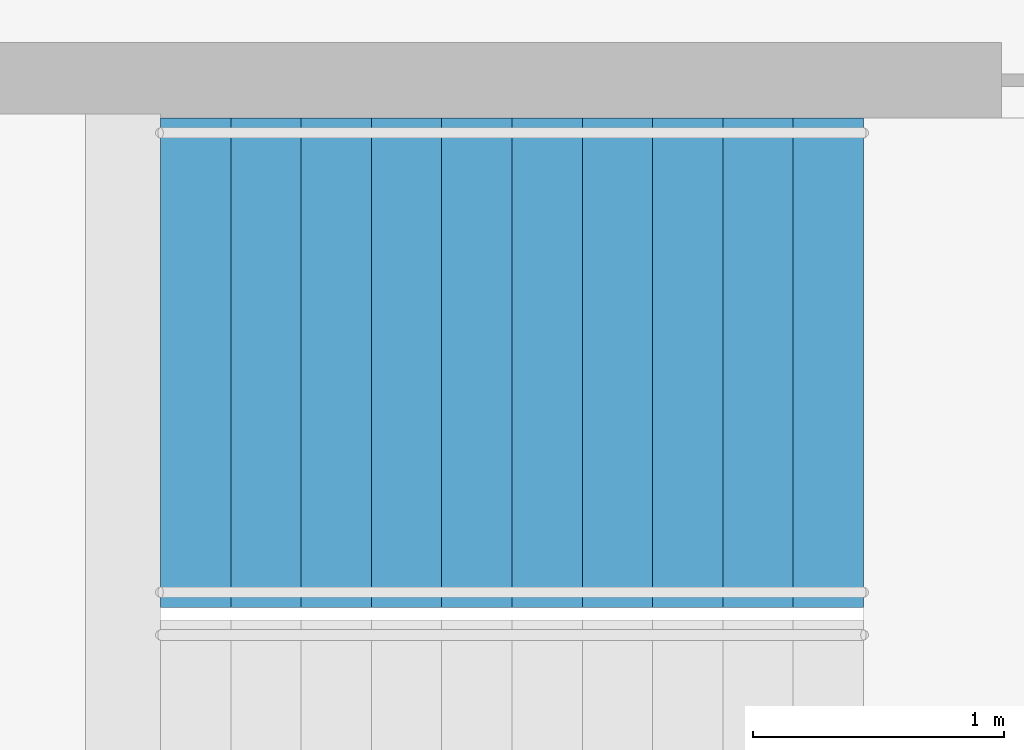
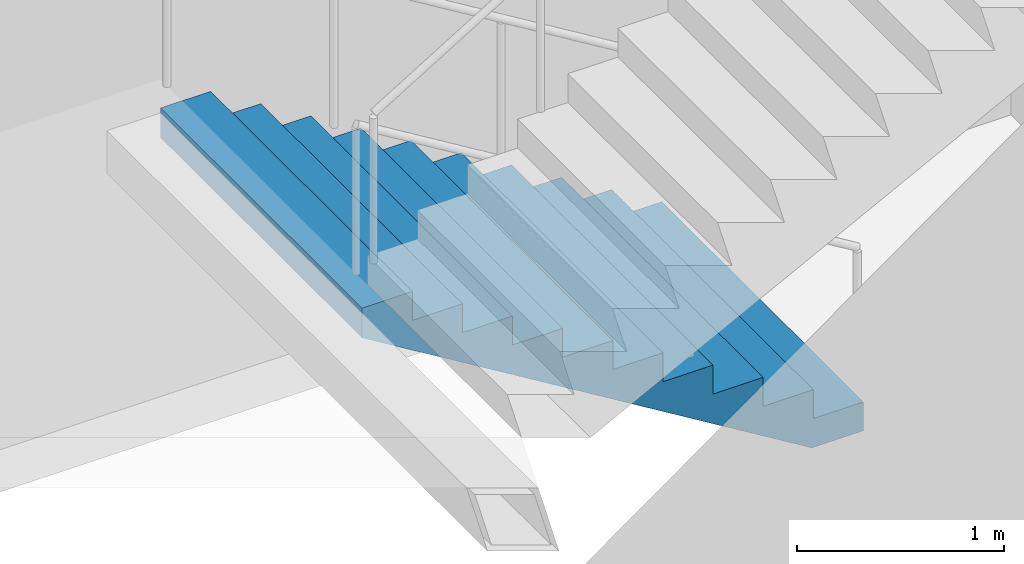
# One storey, part 22 of 23: 1 stair flight, 1 element without a shape of its own.
"""IFC4 building model written with IfcOpenShell, lengths in metres."""

from ifc_helpers import new_model, si_unit, direction, frame, origin, place, context, subcontext, project, spatial, triangles, material, type_object, element, aggregate, save


model = new_model("IFC4")

# Units and contexts
model_context = context("Model", 3, precision=1e-05, world=origin(), true_north=direction((0.0, 1.0)))
body_context = subcontext(model_context, "Body", "Model", "MODEL_VIEW")
ifc_project = project(units=[si_unit("LENGTHUNIT", "METRE"), si_unit("AREAUNIT", "SQUARE_METRE"), si_unit("VOLUMEUNIT", "CUBIC_METRE"), si_unit("PLANEANGLEUNIT", "RADIAN"), si_unit("MASSUNIT", "GRAM", prefix="KILO")], contexts=[model_context])

# Site, building, storey
site_placement = place(None, origin())
site = spatial("IfcSite", under=ifc_project, at=site_placement, CompositionType="ELEMENT")
building_placement = place(site_placement, origin())
building = spatial("IfcBuilding", under=site, at=building_placement, Name="Orbita Commons", CompositionType="ELEMENT")
storey_placement = place(building_placement, frame((0.0, 0.0, 61.449951171875)))
storey = spatial("IfcBuildingStorey", under=building, at=storey_placement, Name="L15", CompositionType="ELEMENT", Elevation=61.449951171875)

# Stair, stair flight
ifc_material_1 = material(Name="Precast concrete C40/50", Category="concrete")
stair_type = type_object("IfcStairType", Name="Exit stair S2 2 flights 11 risers 170", PredefinedType="HALF_TURN_STAIR", material=ifc_material_1)
stair_placement = place(storey_placement, origin())
stair = element("IfcStair", 1, at=stair_placement, inside=storey, type_object=stair_type, Name="Exit stair S2 L15", PredefinedType="HALF_TURN_STAIR")
ifc_material_2 = material(Name="Precast concrete C40/50", Category="concrete")
stair_flight_type = type_object("IfcStairFlightType", Name="Stair flight 11 risers 170 x 280", PredefinedType="STRAIGHT", material=ifc_material_2)
stair_flight_placement = place(storey_placement, frame((63.550048828125, 29.27490234375, 0.0), z_axis=(0.0, 0.0, 1.0), x_axis=(-1.0, 0.0, 0.0)))
stair_flight = element("IfcStairFlight", 2, at=stair_flight_placement, type_object=stair_flight_type, Name="S2 flight 1", NumberOfRisers=11, NumberOfTreads=10, PredefinedType="STRAIGHT", RiserHeight=0.170454545, TreadLength=0.28, context=body_context, shape_type="Tessellation", body=[
    triangles([(0.0, 0.974976, 0.0), (0.0, 0.974976, 0.021307), (0.0, 0.81248, 0.021307), (0.0, 0.81248, 0.0), (0.0, 0.649984, 0.021307), (0.0, 0.649984, 0.0), (0.0, 0.487488, 0.021307), (0.0, 0.487488, 0.0), (0.0, 0.324992, 0.021307), (0.0, 0.324992, 0.0), (0.0, 0.162496, 0.021307), (0.0, 0.162496, 0.0), (0.0, 0.0, 0.021307), (0.0, 0.0, 0.0), (0.0, -0.162496, 0.021307), (0.0, -0.162496, 0.0), (0.0, -0.324992, 0.021307), (0.0, -0.324992, 0.0), (0.0, -0.487488, 0.021307), (0.0, -0.487488, 0.0), (0.0, -0.649984, 0.021307), (0.0, -0.649984, 0.0), (0.0, -0.81248, 0.021307), (0.0, -0.81248, 0.0), (0.0, -0.974976, 0.021307), (0.0, -0.974976, 0.0), (0.0, 0.974976, 0.042614), (0.0, 0.81248, 0.042614), (0.0, 0.649984, 0.042614), (0.0, 0.487488, 0.042614), (0.0, 0.324992, 0.042614), (0.0, 0.162496, 0.042614), (0.0, 0.0, 0.042614), (0.0, -0.162496, 0.042614), (0.0, -0.324992, 0.042614), (0.0, -0.487488, 0.042614), (0.0, -0.649984, 0.042614), (0.0, -0.81248, 0.042614), (0.0, -0.974976, 0.042614), (0.0, 0.974976, 0.06392), (0.0, 0.81248, 0.06392), (0.0, 0.649984, 0.06392), (0.0, 0.487488, 0.06392), (0.0, 0.324992, 0.06392), (0.0, 0.162496, 0.06392), (0.0, 0.0, 0.06392), (0.0, -0.162496, 0.06392), (0.0, -0.324992, 0.06392), (0.0, -0.487488, 0.06392), (0.0, -0.649984, 0.06392), (0.0, -0.81248, 0.06392), (0.0, -0.974976, 0.06392), (0.0, 0.974976, 0.085227), (0.0, 0.81248, 0.085227), (0.0, 0.649984, 0.085227), (0.0, 0.487488, 0.085227), (0.0, 0.324992, 0.085227), (0.0, 0.162496, 0.085227), (0.0, 0.0, 0.085227), (0.0, -0.162496, 0.085227), (0.0, -0.324992, 0.085227), (0.0, -0.487488, 0.085227), (0.0, -0.649984, 0.085227), (0.0, -0.81248, 0.085227), (0.0, -0.974976, 0.085227), (0.0, 0.974976, 0.106534), (0.0, 0.81248, 0.106534), (0.0, 0.649984, 0.106534), (0.0, 0.487488, 0.106534), (0.0, 0.324992, 0.106534), (0.0, 0.162496, 0.106534), (0.0, 0.0, 0.106534), (0.0, -0.162496, 0.106534), (0.0, -0.324992, 0.106534), (0.0, -0.487488, 0.106534), (0.0, -0.649984, 0.106534), (0.0, -0.81248, 0.106534), (0.0, -0.974976, 0.106534), (0.0, 0.974976, 0.127841), (0.0, 0.81248, 0.127841), (0.0, 0.649984, 0.127841), (0.0, 0.487488, 0.127841), (0.0, 0.324992, 0.127841), (0.0, 0.162496, 0.127841), (0.0, 0.0, 0.127841), (0.0, -0.162496, 0.127841), (0.0, -0.324992, 0.127841), (0.0, -0.487488, 0.127841), (0.0, -0.649984, 0.127841), (0.0, -0.81248, 0.127841), (0.0, -0.974976, 0.127841), (0.0, 0.974976, 0.149148), (0.0, 0.81248, 0.149148), (0.0, 0.649984, 0.149148), (0.0, 0.487488, 0.149148), (0.0, 0.324992, 0.149148), (0.0, 0.162496, 0.149148), (0.0, 0.0, 0.149148), (0.0, -0.162496, 0.149148), (0.0, -0.324992, 0.149148), (0.0, -0.487488, 0.149148), (0.0, -0.649984, 0.149148), (0.0, -0.81248, 0.149148), (0.0, -0.974976, 0.149148), (0.0, 0.974976, 0.170455), (0.0, 0.81248, 0.170455), (0.0, 0.649984, 0.170455), (0.0, 0.487488, 0.170455), (0.0, 0.324992, 0.170455), (0.0, 0.162496, 0.170455), (0.0, 0.0, 0.170455), (0.0, -0.162496, 0.170455), (0.0, -0.324992, 0.170455), (0.0, -0.487488, 0.170455), (0.0, -0.649984, 0.170455), (0.0, -0.81248, 0.170455), (0.0, -0.974976, 0.170455), (0.28, 0.974976, 0.170455), (0.28, 0.81248, 0.170455), (0.28, 0.649984, 0.170455), (0.28, 0.487488, 0.170455), (0.28, 0.324992, 0.170455), (0.28, 0.162496, 0.170455), (0.28, 0.0, 0.170455), (0.28, -0.162496, 0.170455), (0.28, -0.324992, 0.170455), (0.28, -0.487488, 0.170455), (0.28, -0.649984, 0.170455), (0.28, -0.81248, 0.170455), (0.28, -0.974976, 0.170455), (0.28, 0.974976, 0.340909), (0.28, 0.81248, 0.340909), (0.28, 0.649984, 0.340909), (0.28, 0.487488, 0.340909), (0.28, 0.324992, 0.340909), (0.28, 0.162496, 0.340909), (0.28, 0.0, 0.340909), (0.28, -0.162496, 0.340909), (0.28, -0.324992, 0.340909), (0.28, -0.487488, 0.340909), (0.28, -0.649984, 0.340909), (0.28, -0.81248, 0.340909), (0.28, -0.974976, 0.340909), (0.56, 0.974976, 0.340909), (0.56, 0.81248, 0.340909), (0.56, 0.649984, 0.340909), (0.56, 0.487488, 0.340909), (0.56, 0.324992, 0.340909), (0.56, 0.162496, 0.340909), (0.56, 0.0, 0.340909), (0.56, -0.162496, 0.340909), (0.56, -0.324992, 0.340909), (0.56, -0.487488, 0.340909), (0.56, -0.649984, 0.340909), (0.56, -0.81248, 0.340909), (0.56, -0.974976, 0.340909), (0.56, 0.974976, 0.511364), (0.56, 0.81248, 0.511364), (0.56, 0.649984, 0.511364), (0.56, 0.487488, 0.511364), (0.56, 0.324992, 0.511364), (0.56, 0.162496, 0.511364), (0.56, 0.0, 0.511364), (0.56, -0.162496, 0.511364), (0.56, -0.324992, 0.511364), (0.56, -0.487488, 0.511364), (0.56, -0.649984, 0.511364), (0.56, -0.81248, 0.511364), (0.56, -0.974976, 0.511364), (0.84, 0.974976, 0.511364), (0.84, 0.81248, 0.511364), (0.84, 0.649984, 0.511364), (0.84, 0.487488, 0.511364), (0.84, 0.324992, 0.511364), (0.84, 0.162496, 0.511364), (0.84, 0.0, 0.511364), (0.84, -0.162496, 0.511364), (0.84, -0.324992, 0.511364), (0.84, -0.487488, 0.511364), (0.84, -0.649984, 0.511364), (0.84, -0.81248, 0.511364), (0.84, -0.974976, 0.511364), (0.84, 0.974976, 0.681818), (0.84, 0.81248, 0.681818), (0.84, 0.649984, 0.681818), (0.84, 0.487488, 0.681818), (0.84, 0.324992, 0.681818), (0.84, 0.162496, 0.681818), (0.84, 0.0, 0.681818), (0.84, -0.162496, 0.681818), (0.84, -0.324992, 0.681818), (0.84, -0.487488, 0.681818), (0.84, -0.649984, 0.681818), (0.84, -0.81248, 0.681818), (0.84, -0.974976, 0.681818), (1.12, 0.974976, 0.681818), (1.12, 0.81248, 0.681818), (1.12, 0.649984, 0.681818), (1.12, 0.487488, 0.681818), (1.12, 0.324992, 0.681818), (1.12, 0.162496, 0.681818), (1.12, 0.0, 0.681818), (1.12, -0.162496, 0.681818), (1.12, -0.324992, 0.681818), (1.12, -0.487488, 0.681818), (1.12, -0.649984, 0.681818), (1.12, -0.81248, 0.681818), (1.12, -0.974976, 0.681818), (1.12, 0.974976, 0.852273), (1.12, 0.81248, 0.852273), (1.12, 0.649984, 0.852273), (1.12, 0.487488, 0.852273), (1.12, 0.324992, 0.852273), (1.12, 0.162496, 0.852273), (1.12, 0.0, 0.852273), (1.12, -0.162496, 0.852273), (1.12, -0.324992, 0.852273), (1.12, -0.487488, 0.852273), (1.12, -0.649984, 0.852273), (1.12, -0.81248, 0.852273), (1.12, -0.974976, 0.852273), (1.4, 0.974976, 0.852273), (1.4, 0.81248, 0.852273), (1.4, 0.649984, 0.852273), (1.4, 0.487488, 0.852273), (1.4, 0.324992, 0.852273), (1.4, 0.162496, 0.852273), (1.4, 0.0, 0.852273), (1.4, -0.162496, 0.852273), (1.4, -0.324992, 0.852273), (1.4, -0.487488, 0.852273), (1.4, -0.649984, 0.852273), (1.4, -0.81248, 0.852273), (1.4, -0.974976, 0.852273), (1.4, 0.974976, 1.022727), (1.4, 0.81248, 1.022727), (1.4, 0.649984, 1.022727), (1.4, 0.487488, 1.022727), (1.4, 0.324992, 1.022727), (1.4, 0.162496, 1.022727), (1.4, 0.0, 1.022727), (1.4, -0.162496, 1.022727), (1.4, -0.324992, 1.022727), (1.4, -0.487488, 1.022727), (1.4, -0.649984, 1.022727), (1.4, -0.81248, 1.022727), (1.4, -0.974976, 1.022727), (1.68, 0.974976, 1.022727), (1.68, 0.81248, 1.022727), (1.68, 0.649984, 1.022727), (1.68, 0.487488, 1.022727), (1.68, 0.324992, 1.022727), (1.68, 0.162496, 1.022727), (1.68, 0.0, 1.022727), (1.68, -0.162496, 1.022727), (1.68, -0.324992, 1.022727), (1.68, -0.487488, 1.022727), (1.68, -0.649984, 1.022727), (1.68, -0.81248, 1.022727), (1.68, -0.974976, 1.022727), (1.68, 0.974976, 1.193182), (1.68, 0.81248, 1.193182), (1.68, 0.649984, 1.193182), (1.68, 0.487488, 1.193182), (1.68, 0.324992, 1.193182), (1.68, 0.162496, 1.193182), (1.68, 0.0, 1.193182), (1.68, -0.162496, 1.193182), (1.68, -0.324992, 1.193182), (1.68, -0.487488, 1.193182), (1.68, -0.649984, 1.193182), (1.68, -0.81248, 1.193182), (1.68, -0.974976, 1.193182), (1.96, 0.974976, 1.193182), (1.96, 0.81248, 1.193182), (1.96, 0.649984, 1.193182), (1.96, 0.487488, 1.193182), (1.96, 0.324992, 1.193182), (1.96, 0.162496, 1.193182), (1.96, 0.0, 1.193182), (1.96, -0.162496, 1.193182), (1.96, -0.324992, 1.193182), (1.96, -0.487488, 1.193182), (1.96, -0.649984, 1.193182), (1.96, -0.81248, 1.193182), (1.96, -0.974976, 1.193182), (1.96, 0.974976, 1.363636), (1.96, 0.81248, 1.363636), (1.96, 0.649984, 1.363636), (1.96, 0.487488, 1.363636), (1.96, 0.324992, 1.363636), (1.96, 0.162496, 1.363636), (1.96, 0.0, 1.363636), (1.96, -0.162496, 1.363636), (1.96, -0.324992, 1.363636), (1.96, -0.487488, 1.363636), (1.96, -0.649984, 1.363636), (1.96, -0.81248, 1.363636), (1.96, -0.974976, 1.363636), (2.24, 0.974976, 1.363636), (2.24, 0.81248, 1.363636), (2.24, 0.649984, 1.363636), (2.24, 0.487488, 1.363636), (2.24, 0.324992, 1.363636), (2.24, 0.162496, 1.363636), (2.24, 0.0, 1.363636), (2.24, -0.162496, 1.363636), (2.24, -0.324992, 1.363636), (2.24, -0.487488, 1.363636), (2.24, -0.649984, 1.363636), (2.24, -0.81248, 1.363636), (2.24, -0.974976, 1.363636), (2.24, 0.974976, 1.534091), (2.24, 0.81248, 1.534091), (2.24, 0.649984, 1.534091), (2.24, 0.487488, 1.534091), (2.24, 0.324992, 1.534091), (2.24, 0.162496, 1.534091), (2.24, 0.0, 1.534091), (2.24, -0.162496, 1.534091), (2.24, -0.324992, 1.534091), (2.24, -0.487488, 1.534091), (2.24, -0.649984, 1.534091), (2.24, -0.81248, 1.534091), (2.24, -0.974976, 1.534091), (2.52, 0.974976, 1.534091), (2.52, 0.81248, 1.534091), (2.52, 0.649984, 1.534091), (2.52, 0.487488, 1.534091), (2.52, 0.324992, 1.534091), (2.52, 0.162496, 1.534091), (2.52, 0.0, 1.534091), (2.52, -0.162496, 1.534091), (2.52, -0.324992, 1.534091), (2.52, -0.487488, 1.534091), (2.52, -0.649984, 1.534091), (2.52, -0.81248, 1.534091), (2.52, -0.974976, 1.534091), (2.52, 0.974976, 1.704545), (2.52, 0.81248, 1.704545), (2.52, 0.649984, 1.704545), (2.52, 0.487488, 1.704545), (2.52, 0.324992, 1.704545), (2.52, 0.162496, 1.704545), (2.52, 0.0, 1.704545), (2.52, -0.162496, 1.704545), (2.52, -0.324992, 1.704545), (2.52, -0.487488, 1.704545), (2.52, -0.649984, 1.704545), (2.52, -0.81248, 1.704545), (2.52, -0.974976, 1.704545), (2.8, 0.974976, 1.704545), (2.8, 0.81248, 1.704545), (2.8, 0.649984, 1.704545), (2.8, 0.487488, 1.704545), (2.8, 0.324992, 1.704545), (2.8, 0.162496, 1.704545), (2.8, 0.0, 1.704545), (2.8, -0.162496, 1.704545), (2.8, -0.324992, 1.704545), (2.8, -0.487488, 1.704545), (2.8, -0.649984, 1.704545), (2.8, -0.81248, 1.704545), (2.8, -0.974976, 1.704545), (2.8, 0.974976, 1.682609), (2.8, 0.81248, 1.682609), (2.8, 0.649984, 1.682609), (2.8, 0.487488, 1.682609), (2.8, 0.324992, 1.682609), (2.8, 0.162496, 1.682609), (2.8, 0.0, 1.682609), (2.8, -0.162496, 1.682609), (2.8, -0.324992, 1.682609), (2.8, -0.487488, 1.682609), (2.8, -0.649984, 1.682609), (2.8, -0.81248, 1.682609), (2.8, -0.974976, 1.682609), (2.8, 0.974976, 1.660672), (2.8, 0.81248, 1.660672), (2.8, 0.649984, 1.660672), (2.8, 0.487488, 1.660672), (2.8, 0.324992, 1.660672), (2.8, 0.162496, 1.660672), (2.8, 0.0, 1.660672), (2.8, -0.162496, 1.660672), (2.8, -0.324992, 1.660672), (2.8, -0.487488, 1.660672), (2.8, -0.649984, 1.660672), (2.8, -0.81248, 1.660672), (2.8, -0.974976, 1.660672), (2.8, 0.974976, 1.638735), (2.8, 0.81248, 1.638735), (2.8, 0.649984, 1.638735), (2.8, 0.487488, 1.638735), (2.8, 0.324992, 1.638735), (2.8, 0.162496, 1.638735), (2.8, 0.0, 1.638735), (2.8, -0.162496, 1.638735), (2.8, -0.324992, 1.638735), (2.8, -0.487488, 1.638735), (2.8, -0.649984, 1.638735), (2.8, -0.81248, 1.638735), (2.8, -0.974976, 1.638735), (2.8, 0.974976, 1.616798), (2.8, 0.81248, 1.616798), (2.8, 0.649984, 1.616798), (2.8, 0.487488, 1.616798), (2.8, 0.324992, 1.616798), (2.8, 0.162496, 1.616798), (2.8, 0.0, 1.616798), (2.8, -0.162496, 1.616798), (2.8, -0.324992, 1.616798), (2.8, -0.487488, 1.616798), (2.8, -0.649984, 1.616798), (2.8, -0.81248, 1.616798), (2.8, -0.974976, 1.616798), (2.8, 0.974976, 1.594861), (2.8, 0.81248, 1.594861), (2.8, 0.649984, 1.594861), (2.8, 0.487488, 1.594861), (2.8, 0.324992, 1.594861), (2.8, 0.162496, 1.594861), (2.8, 0.0, 1.594861), (2.8, -0.162496, 1.594861), (2.8, -0.324992, 1.594861), (2.8, -0.487488, 1.594861), (2.8, -0.649984, 1.594861), (2.8, -0.81248, 1.594861), (2.8, -0.974976, 1.594861), (2.8, 0.974976, 1.572925), (2.8, 0.81248, 1.572925), (2.8, 0.649984, 1.572925), (2.8, 0.487488, 1.572925), (2.8, 0.324992, 1.572925), (2.8, 0.162496, 1.572925), (2.8, 0.0, 1.572925), (2.8, -0.162496, 1.572925), (2.8, -0.324992, 1.572925), (2.8, -0.487488, 1.572925), (2.8, -0.649984, 1.572925), (2.8, -0.81248, 1.572925), (2.8, -0.974976, 1.572925), (2.8, 0.974976, 1.550988), (2.8, 0.81248, 1.550988), (2.8, 0.649984, 1.550988), (2.8, 0.487488, 1.550988), (2.8, 0.324992, 1.550988), (2.8, 0.162496, 1.550988), (2.8, 0.0, 1.550988), (2.8, -0.162496, 1.550988), (2.8, -0.324992, 1.550988), (2.8, -0.487488, 1.550988), (2.8, -0.649984, 1.550988), (2.8, -0.81248, 1.550988), (2.8, -0.974976, 1.550988), (2.8, 0.974976, 1.529051), (2.8, 0.81248, 1.529051), (2.8, 0.649984, 1.529051), (2.8, 0.487488, 1.529051), (2.8, 0.324992, 1.529051), (2.8, 0.162496, 1.529051), (2.8, 0.0, 1.529051), (2.8, -0.162496, 1.529051), (2.8, -0.324992, 1.529051), (2.8, -0.487488, 1.529051), (2.8, -0.649984, 1.529051), (2.8, -0.81248, 1.529051), (2.8, -0.974976, 1.529051), (0.288279, 0.974976, 0.0), (0.288279, 0.81248, 0.0), (0.288279, 0.649984, 0.0), (0.288279, 0.487488, 0.0), (0.288279, 0.324992, 0.0), (0.288279, 0.162496, 0.0), (0.288279, 0.0, 0.0), (0.288279, -0.162496, 0.0), (0.288279, -0.324992, 0.0), (0.288279, -0.487488, 0.0), (0.288279, -0.649984, 0.0), (0.288279, -0.81248, 0.0), (0.288279, -0.974976, 0.0)], [[3, 2, 1], [4, 3, 1], [5, 3, 4], [6, 5, 4], [7, 5, 6], [8, 7, 6], [9, 7, 8], [10, 9, 8], [11, 9, 10], [12, 11, 10], [13, 11, 12], [14, 13, 12], [15, 13, 14], [16, 15, 14], [17, 15, 16], [18, 17, 16], [19, 17, 18], [20, 19, 18], [21, 19, 20], [22, 21, 20], [23, 21, 22], [24, 23, 22], [25, 23, 24], [26, 25, 24], [28, 27, 2], [3, 28, 2], [29, 28, 3], [5, 29, 3], [30, 29, 5], [7, 30, 5], [31, 30, 7], [9, 31, 7], [32, 31, 9], [11, 32, 9], [33, 32, 11], [13, 33, 11], [34, 33, 13], [15, 34, 13], [35, 34, 15], [17, 35, 15], [36, 35, 17], [19, 36, 17], [37, 36, 19], [21, 37, 19], [38, 37, 21], [23, 38, 21], [39, 38, 23], [25, 39, 23], [41, 40, 27], [28, 41, 27], [42, 41, 28], [29, 42, 28], [43, 42, 29], [30, 43, 29], [44, 43, 30], [31, 44, 30], [45, 44, 31], [32, 45, 31], [46, 45, 32], [33, 46, 32], [47, 46, 33], [34, 47, 33], [48, 47, 34], [35, 48, 34], [49, 48, 35], [36, 49, 35], [50, 49, 36], [37, 50, 36], [51, 50, 37], [38, 51, 37], [52, 51, 38], [39, 52, 38], [54, 53, 40], [41, 54, 40], [55, 54, 41], [42, 55, 41], [56, 55, 42], [43, 56, 42], [57, 56, 43], [44, 57, 43], [58, 57, 44], [45, 58, 44], [59, 58, 45], [46, 59, 45], [60, 59, 46], [47, 60, 46], [61, 60, 47], [48, 61, 47], [62, 61, 48], [49, 62, 48], [63, 62, 49], [50, 63, 49], [64, 63, 50], [51, 64, 50], [65, 64, 51], [52, 65, 51], [67, 66, 53], [54, 67, 53], [68, 67, 54], [55, 68, 54], [69, 68, 55], [56, 69, 55], [70, 69, 56], [57, 70, 56], [71, 70, 57], [58, 71, 57], [72, 71, 58], [59, 72, 58], [73, 72, 59], [60, 73, 59], [74, 73, 60], [61, 74, 60], [75, 74, 61], [62, 75, 61], [76, 75, 62], [63, 76, 62], [77, 76, 63], [64, 77, 63], [78, 77, 64], [65, 78, 64], [80, 79, 66], [67, 80, 66], [81, 80, 67], [68, 81, 67], [82, 81, 68], [69, 82, 68], [83, 82, 69], [70, 83, 69], [84, 83, 70], [71, 84, 70], [85, 84, 71], [72, 85, 71], [86, 85, 72], [73, 86, 72], [87, 86, 73], [74, 87, 73], [88, 87, 74], [75, 88, 74], [89, 88, 75], [76, 89, 75], [90, 89, 76], [77, 90, 76], [91, 90, 77], [78, 91, 77], [93, 92, 79], [80, 93, 79], [94, 93, 80], [81, 94, 80], [95, 94, 81], [82, 95, 81], [96, 95, 82], [83, 96, 82], [97, 96, 83], [84, 97, 83], [98, 97, 84], [85, 98, 84], [99, 98, 85], [86, 99, 85], [100, 99, 86], [87, 100, 86], [101, 100, 87], [88, 101, 87], [102, 101, 88], [89, 102, 88], [103, 102, 89], [90, 103, 89], [104, 103, 90], [91, 104, 90], [106, 105, 92], [93, 106, 92], [107, 106, 93], [94, 107, 93], [108, 107, 94], [95, 108, 94], [109, 108, 95], [96, 109, 95], [110, 109, 96], [97, 110, 96], [111, 110, 97], [98, 111, 97], [112, 111, 98], [99, 112, 98], [113, 112, 99], [100, 113, 99], [114, 113, 100], [101, 114, 100], [115, 114, 101], [102, 115, 101], [116, 115, 102], [103, 116, 102], [117, 116, 103], [104, 117, 103], [119, 118, 105], [106, 119, 105], [120, 119, 106], [107, 120, 106], [121, 120, 107], [108, 121, 107], [122, 121, 108], [109, 122, 108], [123, 122, 109], [110, 123, 109], [124, 123, 110], [111, 124, 110], [125, 124, 111], [112, 125, 111], [126, 125, 112], [113, 126, 112], [127, 126, 113], [114, 127, 113], [128, 127, 114], [115, 128, 114], [129, 128, 115], [116, 129, 115], [130, 129, 116], [117, 130, 116], [132, 131, 118], [119, 132, 118], [133, 132, 119], [120, 133, 119], [134, 133, 120], [121, 134, 120], [135, 134, 121], [122, 135, 121], [136, 135, 122], [123, 136, 122], [137, 136, 123], [124, 137, 123], [138, 137, 124], [125, 138, 124], [139, 138, 125], [126, 139, 125], [140, 139, 126], [127, 140, 126], [141, 140, 127], [128, 141, 127], [142, 141, 128], [129, 142, 128], [143, 142, 129], [130, 143, 129], [145, 144, 131], [132, 145, 131], [146, 145, 132], [133, 146, 132], [147, 146, 133], [134, 147, 133], [148, 147, 134], [135, 148, 134], [149, 148, 135], [136, 149, 135], [150, 149, 136], [137, 150, 136], [151, 150, 137], [138, 151, 137], [152, 151, 138], [139, 152, 138], [153, 152, 139], [140, 153, 139], [154, 153, 140], [141, 154, 140], [155, 154, 141], [142, 155, 141], [156, 155, 142], [143, 156, 142], [158, 157, 144], [145, 158, 144], [159, 158, 145], [146, 159, 145], [160, 159, 146], [147, 160, 146], [161, 160, 147], [148, 161, 147], [162, 161, 148], [149, 162, 148], [163, 162, 149], [150, 163, 149], [164, 163, 150], [151, 164, 150], [165, 164, 151], [152, 165, 151], [166, 165, 152], [153, 166, 152], [167, 166, 153], [154, 167, 153], [168, 167, 154], [155, 168, 154], [169, 168, 155], [156, 169, 155], [171, 170, 157], [158, 171, 157], [172, 171, 158], [159, 172, 158], [173, 172, 159], [160, 173, 159], [174, 173, 160], [161, 174, 160], [175, 174, 161], [162, 175, 161], [176, 175, 162], [163, 176, 162], [177, 176, 163], [164, 177, 163], [178, 177, 164], [165, 178, 164], [179, 178, 165], [166, 179, 165], [180, 179, 166], [167, 180, 166], [181, 180, 167], [168, 181, 167], [182, 181, 168], [169, 182, 168], [184, 183, 170], [171, 184, 170], [185, 184, 171], [172, 185, 171], [186, 185, 172], [173, 186, 172], [187, 186, 173], [174, 187, 173], [188, 187, 174], [175, 188, 174], [189, 188, 175], [176, 189, 175], [190, 189, 176], [177, 190, 176], [191, 190, 177], [178, 191, 177], [192, 191, 178], [179, 192, 178], [193, 192, 179], [180, 193, 179], [194, 193, 180], [181, 194, 180], [195, 194, 181], [182, 195, 181], [197, 196, 183], [184, 197, 183], [198, 197, 184], [185, 198, 184], [199, 198, 185], [186, 199, 185], [200, 199, 186], [187, 200, 186], [201, 200, 187], [188, 201, 187], [202, 201, 188], [189, 202, 188], [203, 202, 189], [190, 203, 189], [204, 203, 190], [191, 204, 190], [205, 204, 191], [192, 205, 191], [206, 205, 192], [193, 206, 192], [207, 206, 193], [194, 207, 193], [208, 207, 194], [195, 208, 194], [210, 209, 196], [197, 210, 196], [211, 210, 197], [198, 211, 197], [212, 211, 198], [199, 212, 198], [213, 212, 199], [200, 213, 199], [214, 213, 200], [201, 214, 200], [215, 214, 201], [202, 215, 201], [216, 215, 202], [203, 216, 202], [217, 216, 203], [204, 217, 203], [218, 217, 204], [205, 218, 204], [219, 218, 205], [206, 219, 205], [220, 219, 206], [207, 220, 206], [221, 220, 207], [208, 221, 207], [223, 222, 209], [210, 223, 209], [224, 223, 210], [211, 224, 210], [225, 224, 211], [212, 225, 211], [226, 225, 212], [213, 226, 212], [227, 226, 213], [214, 227, 213], [228, 227, 214], [215, 228, 214], [229, 228, 215], [216, 229, 215], [230, 229, 216], [217, 230, 216], [231, 230, 217], [218, 231, 217], [232, 231, 218], [219, 232, 218], [233, 232, 219], [220, 233, 219], [234, 233, 220], [221, 234, 220], [236, 235, 222], [223, 236, 222], [237, 236, 223], [224, 237, 223], [238, 237, 224], [225, 238, 224], [239, 238, 225], [226, 239, 225], [240, 239, 226], [227, 240, 226], [241, 240, 227], [228, 241, 227], [242, 241, 228], [229, 242, 228], [243, 242, 229], [230, 243, 229], [244, 243, 230], [231, 244, 230], [245, 244, 231], [232, 245, 231], [246, 245, 232], [233, 246, 232], [247, 246, 233], [234, 247, 233], [249, 248, 235], [236, 249, 235], [250, 249, 236], [237, 250, 236], [251, 250, 237], [238, 251, 237], [252, 251, 238], [239, 252, 238], [253, 252, 239], [240, 253, 239], [254, 253, 240], [241, 254, 240], [255, 254, 241], [242, 255, 241], [256, 255, 242], [243, 256, 242], [257, 256, 243], [244, 257, 243], [258, 257, 244], [245, 258, 244], [259, 258, 245], [246, 259, 245], [260, 259, 246], [247, 260, 246], [262, 261, 248], [249, 262, 248], [263, 262, 249], [250, 263, 249], [264, 263, 250], [251, 264, 250], [265, 264, 251], [252, 265, 251], [266, 265, 252], [253, 266, 252], [267, 266, 253], [254, 267, 253], [268, 267, 254], [255, 268, 254], [269, 268, 255], [256, 269, 255], [270, 269, 256], [257, 270, 256], [271, 270, 257], [258, 271, 257], [272, 271, 258], [259, 272, 258], [273, 272, 259], [260, 273, 259], [275, 274, 261], [262, 275, 261], [276, 275, 262], [263, 276, 262], [277, 276, 263], [264, 277, 263], [278, 277, 264], [265, 278, 264], [279, 278, 265], [266, 279, 265], [280, 279, 266], [267, 280, 266], [281, 280, 267], [268, 281, 267], [282, 281, 268], [269, 282, 268], [283, 282, 269], [270, 283, 269], [284, 283, 270], [271, 284, 270], [285, 284, 271], [272, 285, 271], [286, 285, 272], [273, 286, 272], [288, 287, 274], [275, 288, 274], [289, 288, 275], [276, 289, 275], [290, 289, 276], [277, 290, 276], [291, 290, 277], [278, 291, 277], [292, 291, 278], [279, 292, 278], [293, 292, 279], [280, 293, 279], [294, 293, 280], [281, 294, 280], [295, 294, 281], [282, 295, 281], [296, 295, 282], [283, 296, 282], [297, 296, 283], [284, 297, 283], [298, 297, 284], [285, 298, 284], [299, 298, 285], [286, 299, 285], [301, 300, 287], [288, 301, 287], [302, 301, 288], [289, 302, 288], [303, 302, 289], [290, 303, 289], [304, 303, 290], [291, 304, 290], [305, 304, 291], [292, 305, 291], [306, 305, 292], [293, 306, 292], [307, 306, 293], [294, 307, 293], [308, 307, 294], [295, 308, 294], [309, 308, 295], [296, 309, 295], [310, 309, 296], [297, 310, 296], [311, 310, 297], [298, 311, 297], [312, 311, 298], [299, 312, 298], [314, 313, 300], [301, 314, 300], [315, 314, 301], [302, 315, 301], [316, 315, 302], [303, 316, 302], [317, 316, 303], [304, 317, 303], [318, 317, 304], [305, 318, 304], [319, 318, 305], [306, 319, 305], [320, 319, 306], [307, 320, 306], [321, 320, 307], [308, 321, 307], [322, 321, 308], [309, 322, 308], [323, 322, 309], [310, 323, 309], [324, 323, 310], [311, 324, 310], [325, 324, 311], [312, 325, 311], [327, 326, 313], [314, 327, 313], [328, 327, 314], [315, 328, 314], [329, 328, 315], [316, 329, 315], [330, 329, 316], [317, 330, 316], [331, 330, 317], [318, 331, 317], [332, 331, 318], [319, 332, 318], [333, 332, 319], [320, 333, 319], [334, 333, 320], [321, 334, 320], [335, 334, 321], [322, 335, 321], [336, 335, 322], [323, 336, 322], [337, 336, 323], [324, 337, 323], [338, 337, 324], [325, 338, 324], [340, 339, 326], [327, 340, 326], [341, 340, 327], [328, 341, 327], [342, 341, 328], [329, 342, 328], [343, 342, 329], [330, 343, 329], [344, 343, 330], [331, 344, 330], [345, 344, 331], [332, 345, 331], [346, 345, 332], [333, 346, 332], [347, 346, 333], [334, 347, 333], [348, 347, 334], [335, 348, 334], [349, 348, 335], [336, 349, 335], [350, 349, 336], [337, 350, 336], [351, 350, 337], [338, 351, 337], [353, 352, 339], [340, 353, 339], [354, 353, 340], [341, 354, 340], [355, 354, 341], [342, 355, 341], [356, 355, 342], [343, 356, 342], [357, 356, 343], [344, 357, 343], [358, 357, 344], [345, 358, 344], [359, 358, 345], [346, 359, 345], [360, 359, 346], [347, 360, 346], [361, 360, 347], [348, 361, 347], [362, 361, 348], [349, 362, 348], [363, 362, 349], [350, 363, 349], [364, 363, 350], [351, 364, 350], [366, 365, 352], [353, 366, 352], [367, 366, 353], [354, 367, 353], [368, 367, 354], [355, 368, 354], [369, 368, 355], [356, 369, 355], [370, 369, 356], [357, 370, 356], [371, 370, 357], [358, 371, 357], [372, 371, 358], [359, 372, 358], [373, 372, 359], [360, 373, 359], [374, 373, 360], [361, 374, 360], [375, 374, 361], [362, 375, 361], [376, 375, 362], [363, 376, 362], [377, 376, 363], [364, 377, 363], [379, 378, 365], [366, 379, 365], [380, 379, 366], [367, 380, 366], [381, 380, 367], [368, 381, 367], [382, 381, 368], [369, 382, 368], [383, 382, 369], [370, 383, 369], [384, 383, 370], [371, 384, 370], [385, 384, 371], [372, 385, 371], [386, 385, 372], [373, 386, 372], [387, 386, 373], [374, 387, 373], [388, 387, 374], [375, 388, 374], [389, 388, 375], [376, 389, 375], [390, 389, 376], [377, 390, 376], [392, 391, 378], [379, 392, 378], [393, 392, 379], [380, 393, 379], [394, 393, 380], [381, 394, 380], [395, 394, 381], [382, 395, 381], [396, 395, 382], [383, 396, 382], [397, 396, 383], [384, 397, 383], [398, 397, 384], [385, 398, 384], [399, 398, 385], [386, 399, 385], [400, 399, 386], [387, 400, 386], [401, 400, 387], [388, 401, 387], [402, 401, 388], [389, 402, 388], [403, 402, 389], [390, 403, 389], [405, 404, 391], [392, 405, 391], [406, 405, 392], [393, 406, 392], [407, 406, 393], [394, 407, 393], [408, 407, 394], [395, 408, 394], [409, 408, 395], [396, 409, 395], [410, 409, 396], [397, 410, 396], [411, 410, 397], [398, 411, 397], [412, 411, 398], [399, 412, 398], [413, 412, 399], [400, 413, 399], [414, 413, 400], [401, 414, 400], [415, 414, 401], [402, 415, 401], [416, 415, 402], [403, 416, 402], [418, 417, 404], [405, 418, 404], [419, 418, 405], [406, 419, 405], [420, 419, 406], [407, 420, 406], [421, 420, 407], [408, 421, 407], [422, 421, 408], [409, 422, 408], [423, 422, 409], [410, 423, 409], [424, 423, 410], [411, 424, 410], [425, 424, 411], [412, 425, 411], [426, 425, 412], [413, 426, 412], [427, 426, 413], [414, 427, 413], [428, 427, 414], [415, 428, 414], [429, 428, 415], [416, 429, 415], [431, 430, 417], [418, 431, 417], [432, 431, 418], [419, 432, 418], [433, 432, 419], [420, 433, 419], [434, 433, 420], [421, 434, 420], [435, 434, 421], [422, 435, 421], [436, 435, 422], [423, 436, 422], [437, 436, 423], [424, 437, 423], [438, 437, 424], [425, 438, 424], [439, 438, 425], [426, 439, 425], [440, 439, 426], [427, 440, 426], [441, 440, 427], [428, 441, 427], [442, 441, 428], [429, 442, 428], [444, 443, 430], [431, 444, 430], [445, 444, 431], [432, 445, 431], [446, 445, 432], [433, 446, 432], [447, 446, 433], [434, 447, 433], [448, 447, 434], [435, 448, 434], [449, 448, 435], [436, 449, 435], [450, 449, 436], [437, 450, 436], [451, 450, 437], [438, 451, 437], [452, 451, 438], [439, 452, 438], [453, 452, 439], [440, 453, 439], [454, 453, 440], [441, 454, 440], [455, 454, 441], [442, 455, 441], [457, 456, 443], [444, 457, 443], [458, 457, 444], [445, 458, 444], [459, 458, 445], [446, 459, 445], [460, 459, 446], [447, 460, 446], [461, 460, 447], [448, 461, 447], [462, 461, 448], [449, 462, 448], [463, 462, 449], [450, 463, 449], [464, 463, 450], [451, 464, 450], [465, 464, 451], [452, 465, 451], [466, 465, 452], [453, 466, 452], [467, 466, 453], [454, 467, 453], [468, 467, 454], [455, 468, 454], [470, 469, 456], [457, 470, 456], [471, 470, 457], [458, 471, 457], [472, 471, 458], [459, 472, 458], [473, 472, 459], [460, 473, 459], [474, 473, 460], [461, 474, 460], [475, 474, 461], [462, 475, 461], [476, 475, 462], [463, 476, 462], [477, 476, 463], [464, 477, 463], [478, 477, 464], [465, 478, 464], [479, 478, 465], [466, 479, 465], [480, 479, 466], [467, 480, 466], [481, 480, 467], [468, 481, 467], [4, 1, 469], [470, 4, 469], [6, 4, 470], [471, 6, 470], [8, 6, 471], [472, 8, 471], [10, 8, 472], [473, 10, 472], [12, 10, 473], [474, 12, 473], [14, 12, 474], [475, 14, 474], [16, 14, 475], [476, 16, 475], [18, 16, 476], [477, 18, 476], [20, 18, 477], [478, 20, 477], [22, 20, 478], [479, 22, 478], [24, 22, 479], [480, 24, 479], [26, 24, 480], [481, 26, 480], [456, 469, 1], [26, 481, 468], [443, 456, 1], [26, 468, 455], [430, 443, 1], [26, 455, 442], [417, 430, 1], [26, 442, 429], [404, 417, 1], [26, 429, 416], [391, 404, 1], [26, 416, 403], [378, 391, 1], [26, 403, 390], [365, 378, 1], [26, 390, 377], [339, 352, 365], [377, 364, 351], [326, 339, 365], [377, 351, 338], [300, 313, 326], [338, 325, 312], [300, 326, 365], [377, 338, 312], [274, 287, 300], [312, 299, 286], [274, 300, 365], [377, 312, 286], [248, 261, 274], [286, 273, 260], [248, 274, 365], [377, 286, 260], [222, 235, 248], [260, 247, 234], [222, 248, 365], [377, 260, 234], [196, 209, 222], [234, 221, 208], [196, 222, 365], [377, 234, 208], [170, 183, 196], [208, 195, 182], [170, 196, 365], [377, 208, 182], [144, 157, 170], [182, 169, 156], [144, 170, 365], [377, 182, 156], [118, 131, 144], [156, 143, 130], [118, 144, 365], [377, 156, 130], [118, 365, 1], [26, 377, 130], [92, 105, 118], [130, 117, 104], [79, 92, 118], [130, 104, 91], [66, 79, 118], [130, 91, 78], [53, 66, 118], [130, 78, 65], [40, 53, 118], [130, 65, 52], [27, 40, 118], [130, 52, 39], [2, 27, 118], [130, 39, 25], [1, 2, 118], [130, 25, 26]], closed=True),
])
aggregate(stair, [stair_flight])

save(model, "model.ifc")
